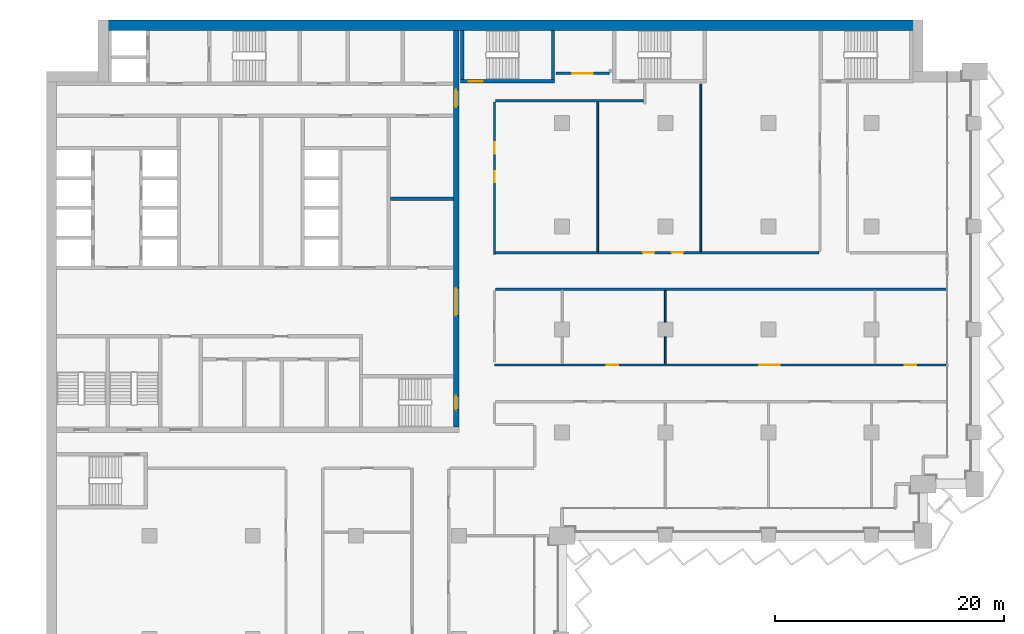
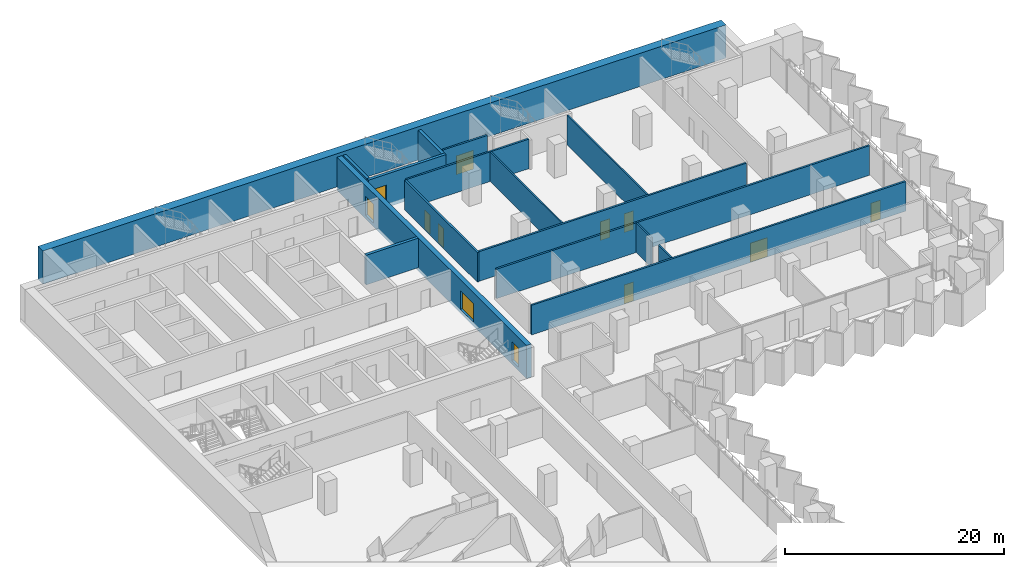
# One storey, part 14 of 23: 16 walls, 12 doors, 12 openings.
"""IFC4 building model written with IfcOpenShell, lengths in metres."""

from ifc_helpers import new_model, si_unit, direction, frame, frame_2d, origin, place, context, subcontext, project, spatial, rectangle, extrude, material, layer, layer_set, type_object, element, fill, save


model = new_model("IFC4")

# Units and contexts
model_context = context("Model", 3, precision=1e-05, world=origin(), true_north=direction((0.0, 1.0)))
body_context = subcontext(model_context, "Body", "Model", "MODEL_VIEW")
ifc_project = project(units=[si_unit("LENGTHUNIT", "METRE"), si_unit("AREAUNIT", "SQUARE_METRE"), si_unit("VOLUMEUNIT", "CUBIC_METRE"), si_unit("PLANEANGLEUNIT", "RADIAN"), si_unit("MASSUNIT", "GRAM", prefix="KILO")], contexts=[model_context])

# Site, building, storey
site_placement = place(None, origin())
site = spatial("IfcSite", under=ifc_project, at=site_placement, CompositionType="ELEMENT")
building_placement = place(site_placement, origin())
building = spatial("IfcBuilding", under=site, at=building_placement, Name="Hunhe Ridgeline Campus", CompositionType="ELEMENT")
storey_placement = place(building_placement, frame((0.0, 0.0, 103.300048828125)))
storey = spatial("IfcBuildingStorey", under=building, at=storey_placement, Name="L25", CompositionType="ELEMENT", Elevation=103.300048828125)

# Wall
ifc_material_1 = material(Name="Masonry concrete blockwork", Category="masonry")
ifc_layer_1 = layer(ifc_material_1, 0.300048828125)
ifc_layer_set_1 = layer_set([ifc_layer_1], Name="Core room partition 300 concrete block")
wall_type_1 = type_object("IfcWallType", Name="Core room partition 300 concrete block", PredefinedType="PARTITIONING", material=ifc_layer_set_1)
wall_1_placement = place(storey_placement, frame((30.0, 83.39990234375, 0.0), z_axis=(0.0, 0.0, 1.0), x_axis=(1.0, 0.0, 0.0)))
element("IfcWall", 1, at=wall_1_placement, inside=storey, type_object=wall_type_1, Name="L25 core partition 20", PredefinedType="PARTITIONING", context=body_context, shape_type="SweptSolid", body=[
    extrude(rectangle(XDim=5.5, YDim=0.300048828125, at=frame_2d((2.75, 0.0))), origin(), (0.0, 0.0, 1.0), 3.300048828125),
])

# Wall, openings, doors
ifc_material_2 = material(Name="Concrete C80", Category="concrete")
ifc_layer_2 = layer(ifc_material_2, 0.5)
ifc_layer_set_2 = layer_set([ifc_layer_2], Name="Core wall 500 reinforced concrete C80")
wall_type_2 = type_object("IfcWallType", Name="Core wall 500 reinforced concrete C80", PredefinedType="SOLIDWALL", material=ifc_layer_set_2)
wall_2_placement = place(storey_placement, frame((35.75, 63.5, -0.400146484375), z_axis=(0.0, 0.0, 1.0), x_axis=(0.0, 1.0, 0.0)))
wall_2 = element("IfcWall", 2, at=wall_2_placement, inside=storey, type_object=wall_type_2, Name="L25 core wall 61", PredefinedType="SOLIDWALL", context=body_context, shape_type="SweptSolid", body=[
    extrude(rectangle(XDim=34.60009765625, YDim=0.5, at=frame_2d((17.300048828125, 0.0))), origin(), (0.0, 0.0, 1.0), 3.7001953125),
])
opening_1_placement = place(wall_2_placement, frame((9.699951171875, 0.0, 0.39990234375)))
opening_1 = element("IfcOpeningElement", 3, at=opening_1_placement, cuts=wall_2, Name="Opening CD4", PredefinedType="OPENING", context=body_context, shape_type="SweptSolid", body=[
    extrude(rectangle(XDim=2.39990234375, YDim=2.10009765625, at=frame_2d((1.199951171875, 1.050048828125))), frame((0.0, 0.25, 0.0), z_axis=(0.0, -1.0, 0.0), x_axis=(1.0, 0.0, 0.0)), (0.0, 0.0, 1.0), 0.5),
])
opening_2_placement = place(wall_2_placement, frame((27.89990234375, 0.0, 0.39990234375)))
opening_2 = element("IfcOpeningElement", 4, at=opening_2_placement, cuts=wall_2, Name="Opening CD5", PredefinedType="OPENING", context=body_context, shape_type="SweptSolid", body=[
    extrude(rectangle(XDim=1.5, YDim=2.10009765625, at=frame_2d((0.75, 1.050048828125))), frame((0.0, 0.25, 0.0), z_axis=(0.0, -1.0, 0.0), x_axis=(1.0, 0.0, 0.0)), (0.0, 0.0, 1.0), 0.5),
])
opening_3_placement = place(wall_2_placement, frame((1.5, 0.0, 0.39990234375)))
opening_3 = element("IfcOpeningElement", 5, at=opening_3_placement, cuts=wall_2, Name="Opening CD15", PredefinedType="OPENING", context=body_context, shape_type="SweptSolid", body=[
    extrude(rectangle(XDim=1.199951171875, YDim=2.10009765625, at=frame_2d((0.60009765625, 1.050048828125))), frame((0.0, 0.25, 0.0), z_axis=(0.0, -1.0, 0.0), x_axis=(1.0, 0.0, 0.0)), (0.0, 0.0, 1.0), 0.5),
])
ifc_material_3 = material(Name="Anodised aluminium and glass", Category="aluminium")
door_type_1 = type_object("IfcDoorType", Name="Glazed double door 2400x2100", OperationType="DOUBLE_DOOR_SINGLE_SWING", PredefinedType="DOOR", material=ifc_material_3)
door_1_placement = place(opening_1_placement, frame((2.39990234375, 0.0, 0.0), z_axis=(0.0, 0.0, 1.0), x_axis=(-1.0, 0.0, 0.0)))
door_1 = element("IfcDoor", 6, at=door_1_placement, inside=storey, type_object=door_type_1, Name="L25 door HALL-FLOOR", OperationType="DOUBLE_DOOR_SINGLE_SWING", OverallHeight=2.10009765625, OverallWidth=2.39990234375, PredefinedType="DOOR", context=body_context, shape_type="SweptSolid", body=[
    extrude(rectangle(XDim=2.39990234375, YDim=2.10009765625, at=frame_2d((1.199951171875, 1.050048828125))), frame((0.0, 0.02490234375, 0.0), z_axis=(0.0, -1.0, 0.0), x_axis=(1.0, 0.0, 0.0)), (0.0, 0.0, 1.0), 0.050048828125),
])
fill(opening_1, door_1)
ifc_material_4 = material(Name="Hollow metal fire door leaf")
door_type_2 = type_object("IfcDoorType", Name="Stair door 1200x2100 FD60", OperationType="SINGLE_SWING_LEFT", PredefinedType="DOOR", material=ifc_material_4)
door_2_placement = place(opening_3_placement, frame((1.199951171875, 0.0, 0.0), z_axis=(0.0, 0.0, 1.0), x_axis=(-1.0, 0.0, 0.0)))
door_2 = element("IfcDoor", 7, at=door_2_placement, inside=storey, type_object=door_type_2, Name="L25 door S2-FLOOR", OperationType="SINGLE_SWING_RIGHT", OverallHeight=2.10009765625, OverallWidth=1.199951171875, PredefinedType="DOOR", context=body_context, shape_type="SweptSolid", body=[
    extrude(rectangle(XDim=1.199951171875, YDim=2.10009765625, at=frame_2d((0.60009765625, 1.050048828125))), frame((0.0, 0.02490234375, 0.0), z_axis=(0.0, -1.0, 0.0), x_axis=(1.0, 0.0, 0.0)), (0.0, 0.0, 1.0), 0.050048828125),
])
fill(opening_3, door_2)
ifc_material_5 = material(Name="Solid core timber door leaf", Category="wood")
door_type_3 = type_object("IfcDoorType", Name="Timber door 1500x2100", OperationType="SINGLE_SWING_LEFT", PredefinedType="DOOR", material=ifc_material_5)
door_3_placement = place(opening_2_placement, frame((1.5, 0.0, 0.0), z_axis=(0.0, 0.0, 1.0), x_axis=(-1.0, 0.0, 0.0)))
door_3 = element("IfcDoor", 8, at=door_3_placement, inside=storey, type_object=door_type_3, Name="L25 door C1-FLOOR", OperationType="SINGLE_SWING_RIGHT", OverallHeight=2.10009765625, OverallWidth=1.5, PredefinedType="DOOR", context=body_context, shape_type="SweptSolid", body=[
    extrude(rectangle(XDim=1.5, YDim=2.10009765625, at=frame_2d((0.75, 1.050048828125))), frame((0.0, 0.02490234375, 0.0), z_axis=(0.0, -1.0, 0.0), x_axis=(1.0, 0.0, 0.0)), (0.0, 0.0, 1.0), 0.050048828125),
])
fill(opening_2, door_3)

ifc_material_6 = material(Name="Gypsum board partition")
ifc_layer_3 = layer(ifc_material_6, 0.199951171875)
ifc_layer_set_3 = layer_set([ifc_layer_3], Name="Corridor partition 200 gypsum board on steel studs")
wall_type_3 = type_object("IfcWallType", Name="Corridor partition 200 gypsum board on steel studs", PredefinedType="PARTITIONING", material=ifc_layer_set_3)
wall_3_placement = place(storey_placement, frame((39.10009765625, 68.89990234375, 0.0), z_axis=(0.0, 0.0, 1.0), x_axis=(1.0, 0.0, 0.0)))
wall_3 = element("IfcWall", 9, at=wall_3_placement, inside=storey, type_object=wall_type_3, Name="F-L25-wall-034", PredefinedType="PARTITIONING", context=body_context, shape_type="SweptSolid", body=[
    extrude(rectangle(XDim=39.44482421875, YDim=0.199951171875, at=frame_2d((19.722412109375, 0.0))), origin(), (0.0, 0.0, 1.0), 3.300048828125),
])
opening_4_placement = place(wall_3_placement, frame((9.80078125, 0.0, 0.0)))
opening_4 = element("IfcOpeningElement", 10, at=opening_4_placement, cuts=wall_3, Name="Opening RD1-025", PredefinedType="OPENING", context=body_context, shape_type="SweptSolid", body=[
    extrude(rectangle(XDim=1.0, YDim=2.10009765625, at=frame_2d((0.5, 1.050048828125))), frame((0.0, 0.10009765625, 0.0), z_axis=(0.0, -1.0, 0.0), x_axis=(1.0, 0.0, 0.0)), (0.0, 0.0, 1.0), 0.199951171875),
])
opening_5_placement = place(wall_3_placement, frame((23.093505859375, 0.0, 0.0)))
opening_5 = element("IfcOpeningElement", 11, at=opening_5_placement, cuts=wall_3, Name="Opening RD2-026", PredefinedType="OPENING", context=body_context, shape_type="SweptSolid", body=[
    extrude(rectangle(XDim=1.800048828125, YDim=2.10009765625, at=frame_2d((0.89990234375, 1.050048828125))), frame((0.0, 0.10009765625, 0.0), z_axis=(0.0, -1.0, 0.0), x_axis=(1.0, 0.0, 0.0)), (0.0, 0.0, 1.0), 0.199951171875),
])
opening_6_placement = place(wall_3_placement, frame((35.804443359375, 0.0, 0.0)))
opening_6 = element("IfcOpeningElement", 12, at=opening_6_placement, cuts=wall_3, Name="Opening RD1-027", PredefinedType="OPENING", context=body_context, shape_type="SweptSolid", body=[
    extrude(rectangle(XDim=1.0, YDim=2.10009765625, at=frame_2d((0.5, 1.050048828125))), frame((0.0, 0.10009765625, 0.0), z_axis=(0.0, -1.0, 0.0), x_axis=(1.0, 0.0, 0.0)), (0.0, 0.0, 1.0), 0.199951171875),
])
ifc_material_7 = material(Name="Timber door leaf", Category="wood")
door_type_4 = type_object("IfcDoorType", Name="Double fire door 1800x2100 timber FD60", OperationType="DOUBLE_DOOR_SINGLE_SWING", PredefinedType="DOOR", material=ifc_material_7)
door_4_placement = place(opening_5_placement, origin())
door_4 = element("IfcDoor", 13, at=door_4_placement, inside=storey, type_object=door_type_4, Name="F-L25-door-026", OperationType="DOUBLE_DOOR_SINGLE_SWING", OverallHeight=2.10009765625, OverallWidth=1.800048828125, PredefinedType="DOOR", context=body_context, shape_type="SweptSolid", body=[
    extrude(rectangle(XDim=1.800048828125, YDim=2.10009765625, at=frame_2d((0.89990234375, 1.050048828125))), frame((0.0, 0.02490234375, 0.0), z_axis=(0.0, -1.0, 0.0), x_axis=(1.0, 0.0, 0.0)), (0.0, 0.0, 1.0), 0.050048828125),
])
fill(opening_5, door_4)
door_type_5 = type_object("IfcDoorType", Name="Single fire door 1000x2100 timber FD60", OperationType="NOTDEFINED", PredefinedType="DOOR", material=ifc_material_7)
door_5_placement = place(opening_4_placement, origin())
door_5 = element("IfcDoor", 14, at=door_5_placement, inside=storey, type_object=door_type_5, Name="F-L25-door-025", OperationType="SINGLE_SWING_RIGHT", OverallHeight=2.10009765625, OverallWidth=1.0, PredefinedType="DOOR", context=body_context, shape_type="SweptSolid", body=[
    extrude(rectangle(XDim=1.0, YDim=2.10009765625, at=frame_2d((0.5, 1.050048828125))), frame((0.0, 0.02490234375, 0.0), z_axis=(0.0, -1.0, 0.0), x_axis=(1.0, 0.0, 0.0)), (0.0, 0.0, 1.0), 0.050048828125),
])
fill(opening_4, door_5)
door_6_placement = place(opening_6_placement, origin())
door_6 = element("IfcDoor", 15, at=door_6_placement, inside=storey, type_object=door_type_5, Name="F-L25-door-027", OperationType="SINGLE_SWING_RIGHT", OverallHeight=2.10009765625, OverallWidth=1.0, PredefinedType="DOOR", context=body_context, shape_type="SweptSolid", body=[
    extrude(rectangle(XDim=1.0, YDim=2.10009765625, at=frame_2d((0.5, 1.050048828125))), frame((0.0, 0.02490234375, 0.0), z_axis=(0.0, -1.0, 0.0), x_axis=(1.0, 0.0, 0.0)), (0.0, 0.0, 1.0), 0.050048828125),
])
fill(opening_6, door_6)

# Wall
wall_4_placement = place(storey_placement, frame((78.544921875, 75.5, 0.0), z_axis=(0.0, 0.0, 1.0), x_axis=(-1.0, 0.0, 0.0)))
element("IfcWall", 16, at=wall_4_placement, inside=storey, type_object=wall_type_3, Name="F-L25-wall-035", PredefinedType="PARTITIONING", context=body_context, shape_type="SweptSolid", body=[
    extrude(rectangle(XDim=39.344970703125, YDim=0.199951171875, at=frame_2d((19.67236328125, 0.0))), origin(), (0.0, 0.0, 1.0), 3.300048828125),
])

# Wall, openings, doors
wall_5_placement = place(storey_placement, frame((39.199951171875, 78.699951171875, 0.0), z_axis=(0.0, 0.0, 1.0), x_axis=(1.0, 0.0, 0.0)))
wall_5 = element("IfcWall", 17, at=wall_5_placement, inside=storey, type_object=wall_type_3, Name="F-L25-wall-036", PredefinedType="PARTITIONING", context=body_context, shape_type="SweptSolid", body=[
    extrude(rectangle(XDim=28.199951171875, YDim=0.199951171875, at=frame_2d((14.10009765625, 0.0))), origin(), (0.0, 0.0, 1.0), 3.300048828125),
])
opening_7_placement = place(wall_5_placement, frame((12.844482421875, 0.0, 0.0)))
opening_7 = element("IfcOpeningElement", 18, at=opening_7_placement, cuts=wall_5, Name="Opening RD1-029", PredefinedType="OPENING", context=body_context, shape_type="SweptSolid", body=[
    extrude(rectangle(XDim=1.0, YDim=2.10009765625, at=frame_2d((0.5, 1.050048828125))), frame((0.0, 0.10009765625, 0.0), z_axis=(0.0, -1.0, 0.0), x_axis=(1.0, 0.0, 0.0)), (0.0, 0.0, 1.0), 0.199951171875),
])
opening_8_placement = place(wall_5_placement, frame((15.344482421875, 0.0, 0.0)))
opening_8 = element("IfcOpeningElement", 19, at=opening_8_placement, cuts=wall_5, Name="Opening RD1-030", PredefinedType="OPENING", context=body_context, shape_type="SweptSolid", body=[
    extrude(rectangle(XDim=1.0, YDim=2.10009765625, at=frame_2d((0.5, 1.050048828125))), frame((0.0, 0.10009765625, 0.0), z_axis=(0.0, -1.0, 0.0), x_axis=(1.0, 0.0, 0.0)), (0.0, 0.0, 1.0), 0.199951171875),
])
door_7_placement = place(opening_7_placement, frame((1.0, 0.0, 0.0), z_axis=(0.0, 0.0, 1.0), x_axis=(-1.0, 0.0, 0.0)))
door_7 = element("IfcDoor", 20, at=door_7_placement, inside=storey, type_object=door_type_5, Name="F-L25-door-029", OperationType="SINGLE_SWING_LEFT", OverallHeight=2.10009765625, OverallWidth=1.0, PredefinedType="DOOR", context=body_context, shape_type="SweptSolid", body=[
    extrude(rectangle(XDim=1.0, YDim=2.10009765625, at=frame_2d((0.5, 1.050048828125))), frame((0.0, 0.02490234375, 0.0), z_axis=(0.0, -1.0, 0.0), x_axis=(1.0, 0.0, 0.0)), (0.0, 0.0, 1.0), 0.050048828125),
])
fill(opening_7, door_7)
door_8_placement = place(opening_8_placement, frame((1.0, 0.0, 0.0), z_axis=(0.0, 0.0, 1.0), x_axis=(-1.0, 0.0, 0.0)))
door_8 = element("IfcDoor", 21, at=door_8_placement, inside=storey, type_object=door_type_5, Name="F-L25-door-030", OperationType="SINGLE_SWING_LEFT", OverallHeight=2.10009765625, OverallWidth=1.0, PredefinedType="DOOR", context=body_context, shape_type="SweptSolid", body=[
    extrude(rectangle(XDim=1.0, YDim=2.10009765625, at=frame_2d((0.5, 1.050048828125))), frame((0.0, 0.02490234375, 0.0), z_axis=(0.0, -1.0, 0.0), x_axis=(1.0, 0.0, 0.0)), (0.0, 0.0, 1.0), 0.050048828125),
])
fill(opening_8, door_8)

# Wall
wall_6_placement = place(storey_placement, frame((52.10009765625, 91.949951171875, 0.0), z_axis=(0.0, 0.0, 1.0), x_axis=(-1.0, 0.0, 0.0)))
element("IfcWall", 22, at=wall_6_placement, inside=storey, type_object=wall_type_3, Name="F-L25-wall-038", PredefinedType="PARTITIONING", context=body_context, shape_type="SweptSolid", body=[
    extrude(rectangle(XDim=12.900146484375, YDim=0.199951171875, at=frame_2d((6.4501953125, 0.0))), origin(), (0.0, 0.0, 1.0), 3.300048828125),
])

# Wall, opening, door
wall_7_placement = place(storey_placement, frame((44.4541015625, 94.35009765625, 0.0), z_axis=(0.0, 0.0, 1.0), x_axis=(1.0, 0.0, 0.0)))
wall_7 = element("IfcWall", 23, at=wall_7_placement, inside=storey, type_object=wall_type_3, Name="F-L25-wall-039", PredefinedType="PARTITIONING", context=body_context, shape_type="SweptSolid", body=[
    extrude(rectangle(XDim=4.6708984375, YDim=0.199951171875, at=frame_2d((2.33544921875, 0.0))), origin(), (0.0, 0.0, 1.0), 3.300048828125),
])
opening_9_placement = place(wall_7_placement, frame((1.435546875, 0.0, 0.0)))
opening_9 = element("IfcOpeningElement", 24, at=opening_9_placement, cuts=wall_7, Name="Opening RD2-037", PredefinedType="OPENING", context=body_context, shape_type="SweptSolid", body=[
    extrude(rectangle(XDim=1.800048828125, YDim=2.10009765625, at=frame_2d((0.89990234375, 1.050048828125))), frame((0.0, 0.10009765625, 0.0), z_axis=(0.0, -1.0, 0.0), x_axis=(1.0, 0.0, 0.0)), (0.0, 0.0, 1.0), 0.199951171875),
])
door_9_placement = place(opening_9_placement, origin())
door_9 = element("IfcDoor", 25, at=door_9_placement, inside=storey, type_object=door_type_4, Name="F-L25-door-037", OperationType="DOUBLE_DOOR_SINGLE_SWING", OverallHeight=2.10009765625, OverallWidth=1.800048828125, PredefinedType="DOOR", context=body_context, shape_type="SweptSolid", body=[
    extrude(rectangle(XDim=1.800048828125, YDim=2.10009765625, at=frame_2d((0.89990234375, 1.050048828125))), frame((0.0, 0.02490234375, 0.0), z_axis=(0.0, -1.0, 0.0), x_axis=(1.0, 0.0, 0.0)), (0.0, 0.0, 1.0), 0.050048828125),
])
fill(opening_9, door_9)

# Wall, openings, doors
wall_8_placement = place(storey_placement, frame((39.10009765625, 91.85009765625, 0.0), z_axis=(0.0, 0.0, 1.0), x_axis=(0.0, -1.0, 0.0)))
wall_8 = element("IfcWall", 26, at=wall_8_placement, inside=storey, type_object=wall_type_3, Name="F-L25-wall-054", PredefinedType="PARTITIONING", context=body_context, shape_type="SweptSolid", body=[
    extrude(rectangle(XDim=13.302001953125, YDim=0.199951171875, at=frame_2d((6.65087890625, 0.0))), origin(), (0.0, 0.0, 1.0), 3.300048828125),
])
opening_10_placement = place(wall_8_placement, frame((6.025390625, 0.0, 0.0)))
opening_10 = element("IfcOpeningElement", 27, at=opening_10_placement, cuts=wall_8, Name="Opening RD1-031", PredefinedType="OPENING", context=body_context, shape_type="SweptSolid", body=[
    extrude(rectangle(XDim=1.0, YDim=2.10009765625, at=frame_2d((0.5, 1.050048828125))), frame((0.0, 0.10009765625, 0.0), z_axis=(0.0, -1.0, 0.0), x_axis=(1.0, 0.0, 0.0)), (0.0, 0.0, 1.0), 0.199951171875),
])
opening_11_placement = place(wall_8_placement, frame((3.525390625, 0.0, 0.0)))
opening_11 = element("IfcOpeningElement", 28, at=opening_11_placement, cuts=wall_8, Name="Opening RD1-034", PredefinedType="OPENING", context=body_context, shape_type="SweptSolid", body=[
    extrude(rectangle(XDim=1.0, YDim=2.10009765625, at=frame_2d((0.5, 1.050048828125))), frame((0.0, 0.10009765625, 0.0), z_axis=(0.0, -1.0, 0.0), x_axis=(1.0, 0.0, 0.0)), (0.0, 0.0, 1.0), 0.199951171875),
])
door_10_placement = place(opening_10_placement, frame((1.0, 0.0, 0.0), z_axis=(0.0, 0.0, 1.0), x_axis=(-1.0, 0.0, 0.0)))
door_10 = element("IfcDoor", 29, at=door_10_placement, inside=storey, type_object=door_type_5, Name="F-L25-door-031", OperationType="SINGLE_SWING_RIGHT", OverallHeight=2.10009765625, OverallWidth=1.0, PredefinedType="DOOR", context=body_context, shape_type="SweptSolid", body=[
    extrude(rectangle(XDim=1.0, YDim=2.10009765625, at=frame_2d((0.5, 1.050048828125))), frame((0.0, 0.02490234375, 0.0), z_axis=(0.0, -1.0, 0.0), x_axis=(1.0, 0.0, 0.0)), (0.0, 0.0, 1.0), 0.050048828125),
])
fill(opening_10, door_10)
door_11_placement = place(opening_11_placement, frame((1.0, 0.0, 0.0), z_axis=(0.0, 0.0, 1.0), x_axis=(-1.0, 0.0, 0.0)))
door_11 = element("IfcDoor", 30, at=door_11_placement, inside=storey, type_object=door_type_5, Name="F-L25-door-034", OperationType="SINGLE_SWING_RIGHT", OverallHeight=2.10009765625, OverallWidth=1.0, PredefinedType="DOOR", context=body_context, shape_type="SweptSolid", body=[
    extrude(rectangle(XDim=1.0, YDim=2.10009765625, at=frame_2d((0.5, 1.050048828125))), frame((0.0, 0.02490234375, 0.0), z_axis=(0.0, -1.0, 0.0), x_axis=(1.0, 0.0, 0.0)), (0.0, 0.0, 1.0), 0.050048828125),
])
fill(opening_11, door_11)

# Walls
ifc_layer_4 = layer(ifc_material_6, 0.14990234375)
ifc_layer_set_4 = layer_set([ifc_layer_4], Name="Room partition 150 gypsum board on steel studs")
wall_type_4 = type_object("IfcWallType", Name="Room partition 150 gypsum board on steel studs", PredefinedType="PARTITIONING", material=ifc_layer_set_4)
wall_9_placement = place(storey_placement, frame((48.10009765625, 91.85009765625, 0.0), z_axis=(0.0, 0.0, 1.0), x_axis=(0.0, -1.0, 0.0)))
element("IfcWall", 31, at=wall_9_placement, inside=storey, type_object=wall_type_4, Name="F-L25-wall-058", PredefinedType="PARTITIONING", context=body_context, shape_type="SweptSolid", body=[
    extrude(rectangle(XDim=13.050048828125, YDim=0.14990234375, at=frame_2d((6.52490234375, 0.0))), origin(), (0.0, 0.0, 1.0), 3.300048828125),
])
wall_10_placement = place(storey_placement, frame((54.0, 71.35009765625, 0.0), z_axis=(0.0, 0.0, 1.0), x_axis=(0.0, -1.0, 0.0)))
element("IfcWall", 32, at=wall_10_placement, inside=storey, type_object=wall_type_4, Name="F-L25-wall-063", PredefinedType="PARTITIONING", context=body_context, shape_type="SweptSolid", body=[
    extrude(rectangle(XDim=2.35009765625, YDim=0.14990234375, at=frame_2d((1.175048828125, 0.0))), origin(), (0.0, 0.0, 1.0), 3.300048828125),
])
wall_11_placement = place(storey_placement, frame((54.0, 75.39990234375, 0.0), z_axis=(0.0, 0.0, 1.0), x_axis=(0.0, -1.0, 0.0)))
element("IfcWall", 33, at=wall_11_placement, inside=storey, type_object=wall_type_4, Name="F-L25-wall-064", PredefinedType="PARTITIONING", context=body_context, shape_type="SweptSolid", body=[
    extrude(rectangle(XDim=2.75, YDim=0.14990234375, at=frame_2d((1.375, 0.0))), origin(), (0.0, 0.0, 1.0), 3.300048828125),
])
wall_12_placement = place(storey_placement, frame((57.10009765625, 93.39599609375, 0.0), z_axis=(0.0, 0.0, 1.0), x_axis=(0.0, -1.0, 0.0)))
element("IfcWall", 34, at=wall_12_placement, inside=storey, type_object=wall_type_4, Name="F-L25-wall-065", PredefinedType="PARTITIONING", context=body_context, shape_type="SweptSolid", body=[
    extrude(rectangle(XDim=14.595947265625, YDim=0.14990234375, at=frame_2d((7.2978515625, 0.0))), origin(), (0.0, 0.0, 1.0), 3.300048828125),
])
ifc_material_8 = material(Name="Concrete C70", Category="concrete")
ifc_layer_5 = layer(ifc_material_8, 0.89990234375)
ifc_layer_set_5 = layer_set([ifc_layer_5], Name="Spine wall 900 Concrete C70")
wall_type_5 = type_object("IfcWallType", Name="Spine wall 900 Concrete C70", PredefinedType="SHEAR", material=ifc_layer_set_5)
wall_13_placement = place(storey_placement, frame((76.5, 98.550048828125, 0.0), z_axis=(0.0, 0.0, 1.0), x_axis=(-1.0, 0.0, 0.0)))
element("IfcWall", 35, at=wall_13_placement, inside=storey, type_object=wall_type_5, Name="Spine wall SW2-4 L25", PredefinedType="SHEAR", context=body_context, shape_type="SweptSolid", body=[
    extrude(rectangle(XDim=72.0, YDim=0.89990234375, at=frame_2d((36.0, 0.0))), origin(), (0.0, 0.0, 1.0), 3.699951171875),
])

# Wall, opening, door
ifc_layer_6 = layer(ifc_material_2, 0.300048828125)
ifc_layer_set_6 = layer_set([ifc_layer_6], Name="Stair wall 300 reinforced concrete C80")
wall_type_6 = type_object("IfcWallType", Name="Stair wall 300 reinforced concrete C80", PredefinedType="SOLIDWALL", material=ifc_layer_set_6)
wall_14_placement = place(storey_placement, frame((36.14990234375, 93.64990234375, -0.400146484375), z_axis=(0.0, 0.0, 1.0), x_axis=(1.0, 0.0, 0.0)))
wall_14 = element("IfcWall", 36, at=wall_14_placement, inside=storey, type_object=wall_type_6, Name="L25 core wall 28", PredefinedType="SOLIDWALL", context=body_context, shape_type="SweptSolid", body=[
    extrude(rectangle(XDim=8.2001953125, YDim=0.300048828125, at=frame_2d((4.10009765625, 0.0))), origin(), (0.0, 0.0, 1.0), 3.7001953125),
])
opening_12_placement = place(wall_14_placement, frame((0.699951171875, 0.0, 0.39990234375)))
opening_12 = element("IfcOpeningElement", 37, at=opening_12_placement, cuts=wall_14, Name="Opening CD17", PredefinedType="OPENING", context=body_context, shape_type="SweptSolid", body=[
    extrude(rectangle(XDim=1.199951171875, YDim=2.10009765625, at=frame_2d((0.60009765625, 1.050048828125))), frame((0.0, 0.14990234375, 0.0), z_axis=(0.0, -1.0, 0.0), x_axis=(1.0, 0.0, 0.0)), (0.0, 0.0, 1.0), 0.300048828125),
])
door_12_placement = place(opening_12_placement, frame((1.199951171875, 0.0, 0.0), z_axis=(0.0, 0.0, 1.0), x_axis=(-1.0, 0.0, 0.0)))
door_12 = element("IfcDoor", 38, at=door_12_placement, inside=storey, type_object=door_type_2, Name="L25 door E1", OperationType="SINGLE_SWING_RIGHT", OverallHeight=2.10009765625, OverallWidth=1.199951171875, PredefinedType="DOOR", context=body_context, shape_type="SweptSolid", body=[
    extrude(rectangle(XDim=1.199951171875, YDim=2.10009765625, at=frame_2d((0.60009765625, 1.050048828125))), frame((0.0, 0.02490234375, 0.0), z_axis=(0.0, -1.0, 0.0), x_axis=(1.0, 0.0, 0.0)), (0.0, 0.0, 1.0), 0.050048828125),
])
fill(opening_12, door_12)

# Walls
for number, where, z_axis, x_axis, name in (
    (39, (36.300048828125, 93.800048828125, -0.400146484375), (0.0, 0.0, 1.0), (0.0, 1.0, 0.0), "L25 core wall 62"),
    (40, (44.199951171875, 93.800048828125, -0.400146484375), (0.0, 0.0, 1.0), (0.0, 1.0, 0.0), "L25 core wall 63"),
):
    element("IfcWall", number, at=place(storey_placement, frame(where, z_axis=z_axis, x_axis=x_axis)), inside=storey, type_object=wall_type_6, Name=name, PredefinedType="SOLIDWALL", context=body_context, shape_type="SweptSolid", body=[
        extrude(rectangle(XDim=4.300048828125, YDim=0.300048828125, at=frame_2d((2.14990234375, 0.0))), origin(), (0.0, 0.0, 1.0), 3.7001953125),
    ])

save(model, "model.ifc")
